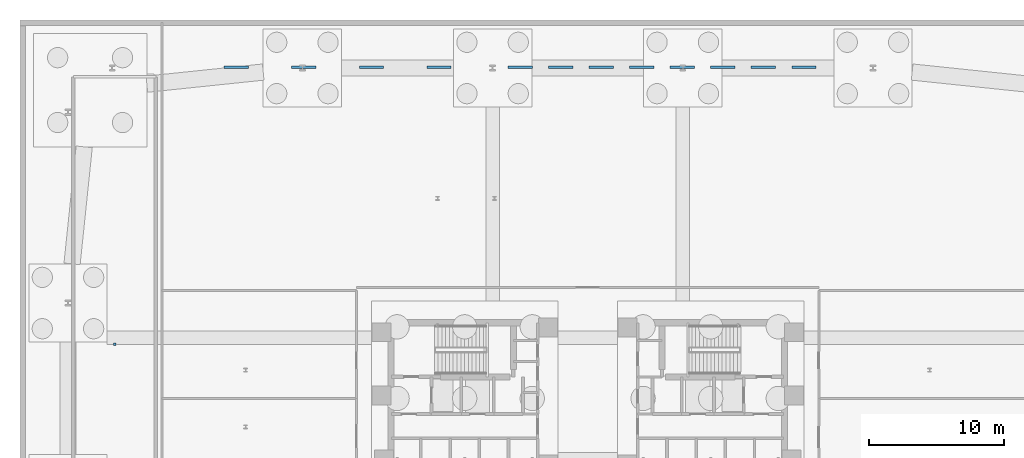
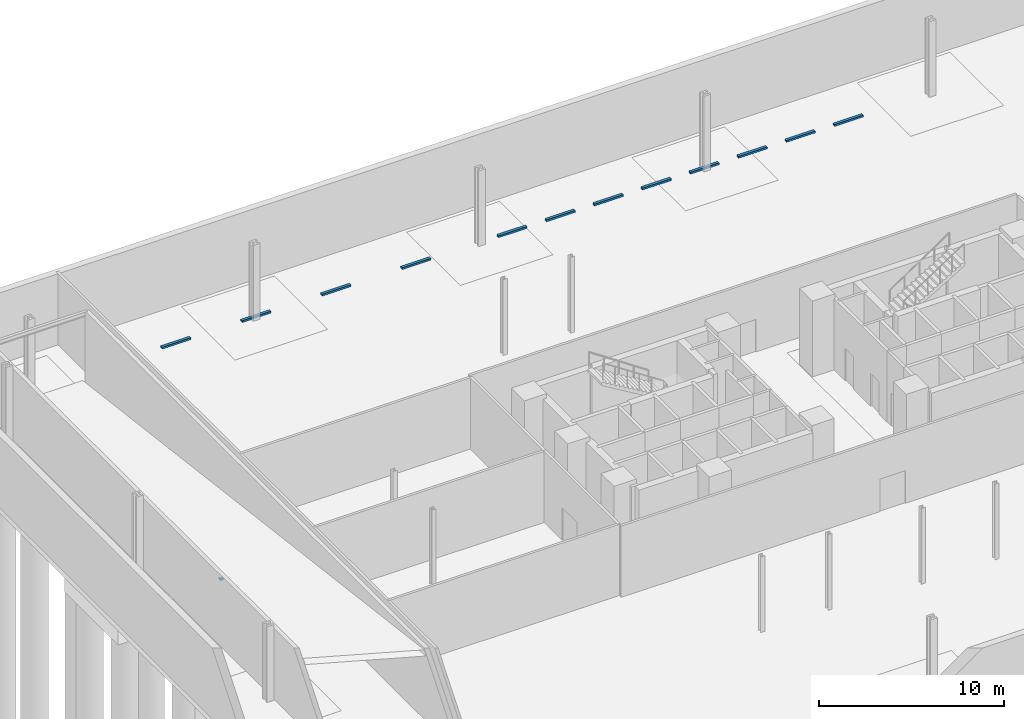
# One storey, part 14 of 16: 12 discrete accessories, 1 ramp.
"""IFC4 building model written with IfcOpenShell, lengths in metres."""

from ifc_helpers import new_model, si_unit, direction, frame, origin, origin_2d, place, context, subcontext, project, spatial, rectangle, extrude, material, type_object, element, save


model = new_model("IFC4")

# Units and contexts
model_context = context("Model", 3, precision=1e-05, world=origin(), true_north=direction((0.0, 1.0)))
body_context = subcontext(model_context, "Body", "Model", "MODEL_VIEW")
ifc_project = project(units=[si_unit("LENGTHUNIT", "METRE"), si_unit("AREAUNIT", "SQUARE_METRE"), si_unit("VOLUMEUNIT", "CUBIC_METRE"), si_unit("PLANEANGLEUNIT", "RADIAN"), si_unit("MASSUNIT", "GRAM", prefix="KILO")], contexts=[model_context])

# Site, building, storey
site_placement = place(None, origin())
site = spatial("IfcSite", under=ifc_project, at=site_placement, CompositionType="ELEMENT")
building_placement = place(site_placement, origin())
building = spatial("IfcBuilding", under=site, at=building_placement, Name="Menara Jurai Vektor", CompositionType="ELEMENT")
storey_placement = place(building_placement, frame((0.0, 0.0, -5.0)))
storey = spatial("IfcBuildingStorey", under=building, at=storey_placement, Name="B1", CompositionType="ELEMENT", Elevation=-5.0)

# Ramp
ifc_material_1 = material(Name="Concrete C40/50", Category="concrete")
ramp_type = type_object("IfcRampType", Name="RAMP-VEHICLE-B1", PredefinedType="STRAIGHT_RUN_RAMP", material=ifc_material_1)
ramp_placement = place(storey_placement, frame((-35.0, 4.0, 0.0), z_axis=(0.0, 0.0, 1.0), x_axis=(1.0, 0.0, 0.0)))
element("IfcRamp", 1, at=ramp_placement, inside=storey, type_object=ramp_type, Name="Basement Vehicle Ramp VR-01", PredefinedType="STRAIGHT_RUN_RAMP", context=body_context, shape_type="SweptSolid", body=[
    extrude(rectangle(XDim=0.199951171875, YDim=0.199951171875, at=origin_2d()), origin(), (0.0, 0.0, 1.0), 0.10009765625),
])

# Discrete accessories
ifc_material_2 = material(Name="Precast Concrete C40/50 Wheel Stop", Category="concrete")
discrete_accessory_type = type_object("IfcDiscreteAccessoryType", Name="ACC-PARK-STOP", PredefinedType="SHOE", material=ifc_material_2)
for number, where, z_axis, x_axis, name in (
    (2, (-26.0, 24.5, 0.0), (0.0, 0.0, 1.0), (1.0, 0.0, 0.0), "Accessible Parking Bay Marking B1-A1"),
    (3, (-21.0, 24.5, 0.0), (0.0, 0.0, 1.0), (1.0, 0.0, 0.0), "Accessible Parking Bay Marking B1-A2"),
    (4, (-16.0, 24.5, 0.0), (0.0, 0.0, 1.0), (1.0, 0.0, 0.0), "Accessible Parking Bay Marking B1-A3"),
    (5, (-11.0, 24.5, 0.0), (0.0, 0.0, 1.0), (1.0, 0.0, 0.0), "Accessible Parking Bay Marking B1-A4"),
    (6, (-5.0, 24.5, 0.0), (0.0, 0.0, 1.0), (1.0, 0.0, 0.0), "Standard Parking Bay Marking B1-P01"),
    (7, (-2.0, 24.5, 0.0), (0.0, 0.0, 1.0), (1.0, 0.0, 0.0), "Standard Parking Bay Marking B1-P02"),
    (8, (1.0, 24.5, 0.0), (0.0, 0.0, 1.0), (1.0, 0.0, 0.0), "Standard Parking Bay Marking B1-P03"),
    (9, (4.0, 24.5, 0.0), (0.0, 0.0, 1.0), (1.0, 0.0, 0.0), "Standard Parking Bay Marking B1-P04"),
    (10, (7.0, 24.5, 0.0), (0.0, 0.0, 1.0), (1.0, 0.0, 0.0), "Standard Parking Bay Marking B1-P05"),
    (11, (10.0, 24.5, 0.0), (0.0, 0.0, 1.0), (1.0, 0.0, 0.0), "Standard Parking Bay Marking B1-P06"),
    (12, (13.0, 24.5, 0.0), (0.0, 0.0, 1.0), (1.0, 0.0, 0.0), "Standard Parking Bay Marking B1-P07"),
    (13, (16.0, 24.5, 0.0), (0.0, 0.0, 1.0), (1.0, 0.0, 0.0), "Standard Parking Bay Marking B1-P08"),
):
    element("IfcDiscreteAccessory", number, at=place(storey_placement, frame(where, z_axis=z_axis, x_axis=x_axis)), inside=storey, type_object=discrete_accessory_type, Name=name, PredefinedType="SHOE", context=body_context, shape_type="SweptSolid", body=[
        extrude(rectangle(XDim=1.800048828125, YDim=0.179931640625, at=origin_2d()), origin(), (0.0, 0.0, 1.0), 0.1201171875),
    ])

save(model, "model.ifc")
